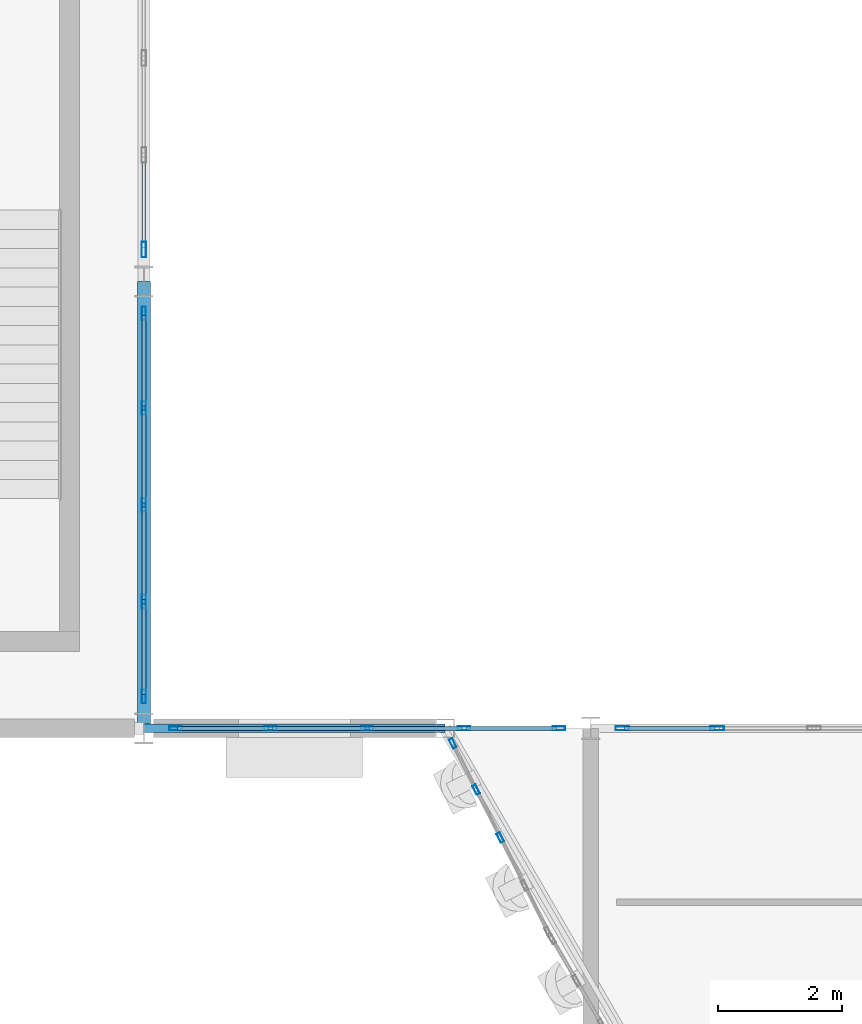
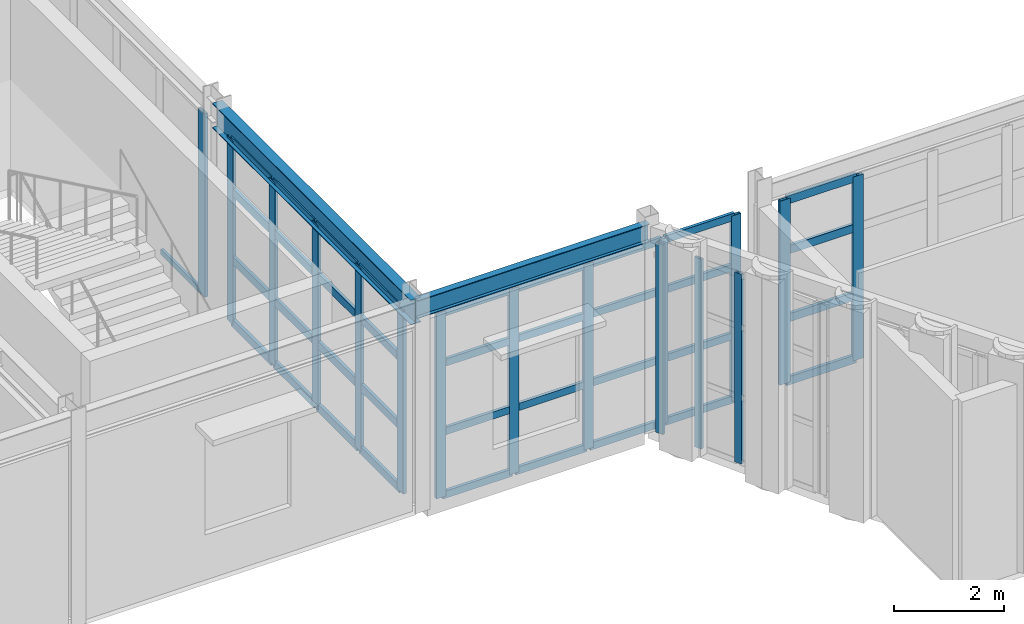
# One storey, part 25 of 121: 53 members, 2 beams, 5 elements without a shape of their own.
"""IFC4 building model written with IfcOpenShell, lengths in metres."""

import ifcopenshell
import ifcopenshell.guid

model = None  # the IFC model being written
_history = None  # IfcOwnerHistory: only IFC2X3 demands one
_inside = {}  # id of a spatial element -> (the spatial element, [elements in it])
_under = {}  # id of a project, library or spatial element -> (it, [spatial elements below it])
_declared = {}  # id of a project -> (the project, [libraries it declares])
_typed = {}  # id of a type object -> (the type object, [elements of that type])
_made_of = {}  # id of a material, layer set ... -> (it, [elements and type objects made of it])


def new_model(schema):
    """Start an empty IFC model of exactly this schema.

    Asked for "IFC4X3", IfcOpenShell would pick the latest addendum, in which some entities
    have other attributes; the version numbers below select the first issue.
    IFC2X3 requires an IfcOwnerHistory on every rooted entity: one is made here for all.
    """
    global model, _history
    if schema == "IFC4X3":
        model = ifcopenshell.file(schema_version=(4, 3, 0, 0))
    else:
        model = ifcopenshell.file(schema=schema)
    _inside.clear()
    _under.clear()
    _declared.clear()
    _typed.clear()
    _made_of.clear()
    _history = None
    if model.schema == "IFC2X3":
        org = make("IfcOrganization", Name="unknown")
        user = make(
            "IfcPersonAndOrganization",
            ThePerson=make("IfcPerson", FamilyName="unknown"),
            TheOrganization=org,
        )
        app = make(
            "IfcApplication",
            ApplicationDeveloper=org,
            Version="unknown",
            ApplicationFullName="unknown",
            ApplicationIdentifier="unknown",
        )
        _history = make(
            "IfcOwnerHistory",
            OwningUser=user,
            OwningApplication=app,
            ChangeAction="ADDED",
            CreationDate=0,
        )
    return model


def make(cls, **values):
    """One entity of the class cls with the attributes given. An attribute that is None is left unset."""
    return model.create_entity(
        cls, **{name: value for name, value in values.items() if value is not None}
    )


def rooted(cls, **values):
    """An entity with a GlobalId (a new one), such as an element, a storey or a relation."""
    return make(cls, GlobalId=ifcopenshell.guid.new(), OwnerHistory=_history, **values)


def si_unit(unit_type, name, prefix=None):
    """IfcSIUnit, for example si_unit("LENGTHUNIT", "METRE", prefix="MILLI")."""
    return make("IfcSIUnit", UnitType=unit_type, Prefix=prefix, Name=name)


def assignment(units):
    """IfcUnitAssignment: the units of a project."""
    return None if units is None else make("IfcUnitAssignment", Units=units)


def point(xyz):
    """IfcCartesianPoint."""
    return None if xyz is None else make("IfcCartesianPoint", Coordinates=xyz)


def direction(xyz):
    """IfcDirection."""
    return None if xyz is None else make("IfcDirection", DirectionRatios=xyz)


def frame(location, z_axis=None, x_axis=None):
    """IfcAxis2Placement3D, a coordinate frame: its origin and axes. An axis left out is left unset."""
    return make(
        "IfcAxis2Placement3D",
        Location=point(location),
        Axis=direction(z_axis),
        RefDirection=direction(x_axis),
    )


def frame_2d(location, x_axis=None):
    """IfcAxis2Placement2D, a coordinate frame in the plane: its origin and x axis."""
    return make(
        "IfcAxis2Placement2D", Location=point(location), RefDirection=direction(x_axis)
    )


def origin():
    """The frame at (0, 0, 0) with its axes left unset."""
    return frame((0.0, 0.0, 0.0))


def origin_2d():
    """The frame at (0, 0) in the plane with its x axis left unset."""
    return frame_2d((0.0, 0.0))


def place(relative_to, where):
    """IfcLocalPlacement: puts the frame where relative to a parent placement (None: the world)."""
    return make(
        "IfcLocalPlacement", PlacementRelTo=relative_to, RelativePlacement=where
    )


def context(
    kind, dimensions, precision=None, world=None, true_north=None, identifier=None
):
    """IfcGeometricRepresentationContext, for example the 3D "Model" context."""
    return make(
        "IfcGeometricRepresentationContext",
        ContextIdentifier=identifier,
        ContextType=kind,
        CoordinateSpaceDimension=dimensions,
        Precision=precision,
        WorldCoordinateSystem=world,
        TrueNorth=true_north,
    )


def subcontext(parent, identifier, kind, view, scale=None):
    """IfcGeometricRepresentationSubContext, for example "Body" below "Model"."""
    return make(
        "IfcGeometricRepresentationSubContext",
        ContextIdentifier=identifier,
        ContextType=kind,
        ParentContext=parent,
        TargetScale=scale,
        TargetView=view,
    )


def project(units=None, contexts=None):
    """IfcProject with its units and contexts."""
    return rooted(
        "IfcProject",
        Name="project",
        RepresentationContexts=contexts,
        UnitsInContext=assignment(units),
    )


def spatial(cls, under=None, at=None, **own):
    """A site, building, storey or space (cls), placed at a placement, below another one or the project."""
    s = rooted(cls, ObjectPlacement=at, **own)
    if under is not None:
        _under.setdefault(under.id(), (under, []))[1].append(s)
    return s


def profile(cls, at=None, kind="AREA", **sizes):
    """A parametric profile (cls). Its sizes go by their IFC names, for example OverallWidth=200.0."""
    return make(cls, ProfileType=kind, Position=at, **sizes)


def hollow_rectangle(**sizes):
    """IfcRectangleHollowProfileDef."""
    return profile("IfcRectangleHollowProfileDef", **sizes)


def i_section(**sizes):
    """IfcIShapeProfileDef."""
    return profile("IfcIShapeProfileDef", **sizes)


def extrude(swept, where, along, depth):
    """IfcExtrudedAreaSolid: the profile swept, set in the frame where, extruded along a direction by depth."""
    return make(
        "IfcExtrudedAreaSolid",
        SweptArea=swept,
        Position=where,
        ExtrudedDirection=direction(along),
        Depth=depth,
    )


def shape(context_of_items, identifier, shape_type, items):
    """IfcShapeRepresentation: the items that make up one representation, for example the "Body"."""
    return make(
        "IfcShapeRepresentation",
        ContextOfItems=context_of_items,
        RepresentationIdentifier=identifier,
        RepresentationType=shape_type,
        Items=items,
    )


def material(Name=None, Category=None):
    """IfcMaterial."""
    return make("IfcMaterial", Name=Name, Category=Category)


def layer(
    of_material, thickness, ventilated=None, Name=None, Category=None, Priority=None
):
    """IfcMaterialLayer: one layer of a wall or slab, of a material (None: an air gap)."""
    return make(
        "IfcMaterialLayer",
        Material=of_material,
        LayerThickness=thickness,
        IsVentilated=ventilated,
        Name=Name,
        Category=Category,
        Priority=Priority,
    )


def layer_set(layers, Name=None):
    """IfcMaterialLayerSet."""
    return make("IfcMaterialLayerSet", MaterialLayers=layers, LayerSetName=Name)


def material_profile(
    of_material, cross_section, Name=None, Category=None, Priority=None
):
    """IfcMaterialProfile: a cross section and its material."""
    return make(
        "IfcMaterialProfile",
        Name=Name,
        Material=of_material,
        Profile=cross_section,
        Priority=Priority,
        Category=Category,
    )


def profile_set(profiles, Name=None, composite=None):
    """IfcMaterialProfileSet."""
    return make(
        "IfcMaterialProfileSet",
        Name=Name,
        MaterialProfiles=profiles,
        CompositeProfile=composite,
    )


def made_of(thing, what):
    """Note that an element or type object is made of a material, layer set ...; save() writes the relation."""
    if what is not None:
        _made_of.setdefault(what.id(), (what, []))[1].append(thing)
    return thing


def type_object(cls, material=None, **own):
    """A type object (cls), such as IfcWallType, which elements share."""
    return made_of(rooted(cls, **own), material)


def element(
    cls,
    number,
    at=None,
    inside=None,
    cuts=None,
    type_object=None,
    material=None,
    context=None,
    identifier="Body",
    shape_type=None,
    held_by="IfcProductDefinitionShape",
    body=None,
    shapes=None,
    **own,
):
    """One element of the class cls, such as IfcWall. Its Tag is "e" and its number.

    at: its placement. inside: the storey or other place that contains it. cuts: it is an
    opening in that element (IfcRelVoidsElement). A single representation is given by context,
    identifier, shape_type and body (its items); several are given by shapes. held_by: the class
    of the entity that holds the representations. save() writes the other relations.
    """
    e = rooted(cls, Tag="e%d" % number, ObjectPlacement=at, **own)
    if body is not None:
        shapes = [shape(context, identifier, shape_type, body)]
    if shapes is not None:
        e.Representation = make(held_by, Representations=shapes)
    if inside is not None:
        _inside.setdefault(inside.id(), (inside, []))[1].append(e)
    if cuts is not None:
        rooted(
            "IfcRelVoidsElement", RelatingBuildingElement=cuts, RelatedOpeningElement=e
        )
    if type_object is not None:
        _typed.setdefault(type_object.id(), (type_object, []))[1].append(e)
    return made_of(e, material)


def aggregate(whole, parts):
    """IfcRelAggregates: a whole, such as a stair, and the parts it consists of."""
    return rooted("IfcRelAggregates", RelatingObject=whole, RelatedObjects=parts)


def save(model, path):
    """Write the relations noted so far, then the file.

    IfcRelAggregates (storeys below a building ...), IfcRelContainedInSpatialStructure (elements
    in a storey), IfcRelDefinesByType, IfcRelAssociatesMaterial and IfcRelDeclares: one each for
    every whole, place, type object, material and project.
    """
    for whole, parts in _under.values():
        aggregate(whole, parts)
    for where, things in _inside.values():
        rooted(
            "IfcRelContainedInSpatialStructure",
            RelatedElements=things,
            RelatingStructure=where,
        )
    for kind, things in _typed.values():
        rooted("IfcRelDefinesByType", RelatedObjects=things, RelatingType=kind)
    for what, things in _made_of.values():
        rooted("IfcRelAssociatesMaterial", RelatedObjects=things, RelatingMaterial=what)
    for by, libraries in _declared.values():
        rooted("IfcRelDeclares", RelatingContext=by, RelatedDefinitions=libraries)
    model.write(path)


model = new_model("IFC4")

# Units and contexts
model_context = context("Model", 3, precision=1e-05, world=origin(), true_north=direction((0.0, 1.0)))
body_context = subcontext(model_context, "Body", "Model", "MODEL_VIEW")
ifc_project = project(units=[si_unit("LENGTHUNIT", "METRE"), si_unit("AREAUNIT", "SQUARE_METRE"), si_unit("VOLUMEUNIT", "CUBIC_METRE"), si_unit("PLANEANGLEUNIT", "RADIAN"), si_unit("MASSUNIT", "GRAM", prefix="KILO")], contexts=[model_context])

# Site, building, storey
site_placement = place(None, origin())
site = spatial("IfcSite", under=ifc_project, at=site_placement, CompositionType="ELEMENT")
building_placement = place(site_placement, origin())
building = spatial("IfcBuilding", under=site, at=building_placement, Name="Solvadek Multi-Sports Hall", CompositionType="ELEMENT")
storey_placement = place(building_placement, frame((0.0, 0.0, 4.800048828125)))
storey = spatial("IfcBuildingStorey", under=building, at=storey_placement, Name="L01", CompositionType="ELEMENT", Elevation=4.800048828125)

# Curtain wall, members
ifc_material_1 = material(Name="Anodised aluminium", Category="aluminium")
ifc_layer_1 = layer(ifc_material_1, 0.159912109375, Name="Anodised aluminium")
ifc_layer_set_1 = layer_set([ifc_layer_1], Name="Anodised aluminium")
curtain_wall_type_1 = type_object("IfcCurtainWallType", Name="ENV-CW-347X420", PredefinedType="USERDEFINED", material=ifc_layer_set_1)
curtain_wall_1_placement = place(storey_placement, origin())
curtain_wall_1 = element("IfcCurtainWall", 1, at=curtain_wall_1_placement, inside=storey, type_object=curtain_wall_type_1, Name="L01 Crescent Curved Curtain Wall #1", ObjectType="CURTAIN WALL", PredefinedType="USERDEFINED")
ifc_material_profile_1 = material_profile(ifc_material_1, hollow_rectangle(XDim=0.06005859375, YDim=0.159912109375, WallThickness=0.00390625, at=origin_2d()), Name="ALU-M 160x60x4")
ifc_profile_set_1 = profile_set([ifc_material_profile_1], Name="Anodised aluminium")
member_type_1 = type_object("IfcMemberType", Name="ENV-CWM-01", PredefinedType="MULLION", material=ifc_profile_set_1)
member_1_placement = place(storey_placement, frame((26.57666015625, 20.158935546875, 0.0), z_axis=(0.0, 0.0, 1.0), x_axis=(0.892241043155, 0.451559432312, 0.0)))
member_1 = element("IfcMember", 2, at=member_1_placement, type_object=member_type_1, Name="CW-01 mullion 1", PredefinedType="MULLION", context=body_context, shape_type="SweptSolid", body=[
    extrude(hollow_rectangle(XDim=0.06005859375, YDim=0.159912109375, WallThickness=0.00390625, at=origin_2d()), origin(), (0.0, 0.0, 1.0), 4.199951171875),
])
member_2_placement = place(storey_placement, frame((26.954345703125, 19.412841796875, 0.0), z_axis=(0.0, 0.0, 1.0), x_axis=(0.892241043155, 0.451559432312, 0.0)))
member_2 = element("IfcMember", 3, at=member_2_placement, type_object=member_type_1, Name="CW-01 mullion 2", PredefinedType="MULLION", context=body_context, shape_type="SweptSolid", body=[
    extrude(hollow_rectangle(XDim=0.06005859375, YDim=0.159912109375, WallThickness=0.00390625, at=origin_2d()), origin(), (0.0, 0.0, 1.0), 4.199951171875),
])
member_3_placement = place(storey_placement, frame((27.345458984375, 18.6396484375, 0.0), z_axis=(0.0, 0.0, 1.0), x_axis=(0.892241043155, 0.451559432312, 0.0)))
member_3 = element("IfcMember", 4, at=member_3_placement, type_object=member_type_1, Name="CW-01 mullion 3", PredefinedType="MULLION", context=body_context, shape_type="SweptSolid", body=[
    extrude(hollow_rectangle(XDim=0.06005859375, YDim=0.159912109375, WallThickness=0.00390625, at=origin_2d()), origin(), (0.0, 0.0, 1.0), 4.199951171875),
])
aggregate(curtain_wall_1, [member_1, member_2, member_3])

ifc_layer_2 = layer(ifc_material_1, 0.159912109375, Name="Anodised aluminium")
ifc_layer_set_2 = layer_set([ifc_layer_2], Name="Anodised aluminium")
curtain_wall_type_2 = type_object("IfcCurtainWallType", Name="ENV-CW-624X410", PredefinedType="USERDEFINED", material=ifc_layer_set_2)
curtain_wall_2_placement = place(storey_placement, origin())
curtain_wall_2 = element("IfcCurtainWall", 5, at=curtain_wall_2_placement, inside=storey, type_object=curtain_wall_type_2, Name="L01 Perimeter Bay Curtain Wall #153", ObjectType="CURTAIN WALL", PredefinedType="USERDEFINED")
ifc_material_profile_2 = material_profile(ifc_material_1, hollow_rectangle(XDim=0.06494140625, YDim=0.199951171875, WallThickness=0.0048828125, at=origin_2d()), Name="ALU-M 200x65x5")
ifc_profile_set_2 = profile_set([ifc_material_profile_2], Name="Anodised aluminium")
member_type_2 = type_object("IfcMemberType", Name="ENV-CWM-03", PredefinedType="MULLION", material=ifc_profile_set_2)
member_4_placement = place(storey_placement, frame((22.112548828125, 20.39990234375, 0.0), z_axis=(0.0, 0.0, 1.0), x_axis=(0.0, 1.0, 0.0)))
member_4 = element("IfcMember", 6, at=member_4_placement, type_object=member_type_2, Name="CW-39 mullion 1", PredefinedType="MULLION", context=body_context, shape_type="SweptSolid", body=[
    extrude(hollow_rectangle(XDim=0.06494140625, YDim=0.199951171875, WallThickness=0.0048828125, at=origin_2d()), origin(), (0.0, 0.0, 1.0), 4.099853515625),
])
member_5_placement = place(storey_placement, frame((23.639892578125, 20.39990234375, 0.0), z_axis=(0.0, 0.0, 1.0), x_axis=(0.0, 1.0, 0.0)))
member_5 = element("IfcMember", 7, at=member_5_placement, type_object=member_type_2, Name="CW-39 mullion 2", PredefinedType="MULLION", context=body_context, shape_type="SweptSolid", body=[
    extrude(hollow_rectangle(XDim=0.06494140625, YDim=0.199951171875, WallThickness=0.0048828125, at=origin_2d()), origin(), (0.0, 0.0, 1.0), 4.099853515625),
])
member_6_placement = place(storey_placement, frame((25.199951171875, 20.39990234375, 0.0), z_axis=(0.0, 0.0, 1.0), x_axis=(0.0, 1.0, 0.0)))
member_6 = element("IfcMember", 8, at=member_6_placement, type_object=member_type_2, Name="CW-39 mullion 3", PredefinedType="MULLION", context=body_context, shape_type="SweptSolid", body=[
    extrude(hollow_rectangle(XDim=0.06494140625, YDim=0.199951171875, WallThickness=0.0048828125, at=origin_2d()), origin(), (0.0, 0.0, 1.0), 4.099853515625),
])
member_7_placement = place(storey_placement, frame((26.760009765625, 20.39990234375, 0.0), z_axis=(0.0, 0.0, 1.0), x_axis=(0.0, 1.0, 0.0)))
member_7 = element("IfcMember", 9, at=member_7_placement, type_object=member_type_2, Name="CW-39 mullion 4", PredefinedType="MULLION", context=body_context, shape_type="SweptSolid", body=[
    extrude(hollow_rectangle(XDim=0.06494140625, YDim=0.199951171875, WallThickness=0.0048828125, at=origin_2d()), origin(), (0.0, 0.0, 1.0), 4.099853515625),
])
member_8_placement = place(storey_placement, frame((28.28759765625, 20.39990234375, 0.0), z_axis=(0.0, 0.0, 1.0), x_axis=(0.0, 1.0, 0.0)))
member_8 = element("IfcMember", 10, at=member_8_placement, type_object=member_type_2, Name="CW-39 mullion 5", PredefinedType="MULLION", context=body_context, shape_type="SweptSolid", body=[
    extrude(hollow_rectangle(XDim=0.06494140625, YDim=0.199951171875, WallThickness=0.0048828125, at=origin_2d()), origin(), (0.0, 0.0, 1.0), 4.099853515625),
])

ifc_layer_3 = layer(ifc_material_1, 0.159912109375, Name="Anodised aluminium")
ifc_layer_set_3 = layer_set([ifc_layer_3], Name="Anodised aluminium")
curtain_wall_type_3 = type_object("IfcCurtainWallType", Name="ENV-CW-624X408", PredefinedType="USERDEFINED", material=ifc_layer_set_3)
curtain_wall_3_placement = place(storey_placement, origin())
curtain_wall_3 = element("IfcCurtainWall", 11, at=curtain_wall_3_placement, inside=storey, type_object=curtain_wall_type_3, Name="L01 Perimeter Bay Curtain Wall #159", ObjectType="CURTAIN WALL", PredefinedType="USERDEFINED")
ifc_material_profile_3 = material_profile(ifc_material_1, hollow_rectangle(XDim=0.06494140625, YDim=0.219970703125, WallThickness=0.0048828125, at=origin_2d()), Name="ALU-M 220x65x5")
ifc_profile_set_3 = profile_set([ifc_material_profile_3], Name="Anodised aluminium")
member_type_3 = type_object("IfcMemberType", Name="ENV-CWM-04", PredefinedType="MULLION", material=ifc_profile_set_3)
member_9_placement = place(storey_placement, frame((29.3125, 20.39990234375, 0.0), z_axis=(0.0, 0.0, 1.0), x_axis=(0.0, 1.0, 0.0)))
member_9 = element("IfcMember", 12, at=member_9_placement, type_object=member_type_3, Name="CW-40 mullion 1", PredefinedType="MULLION", context=body_context, shape_type="SweptSolid", body=[
    extrude(hollow_rectangle(XDim=0.06494140625, YDim=0.219970703125, WallThickness=0.0048828125, at=origin_2d()), origin(), (0.0, 0.0, 1.0), 4.074951171875),
])
member_10_placement = place(storey_placement, frame((30.840087890625, 20.39990234375, 0.0), z_axis=(0.0, 0.0, 1.0), x_axis=(0.0, 1.0, 0.0)))
member_10 = element("IfcMember", 13, at=member_10_placement, type_object=member_type_3, Name="CW-40 mullion 2", PredefinedType="MULLION", context=body_context, shape_type="SweptSolid", body=[
    extrude(hollow_rectangle(XDim=0.06494140625, YDim=0.219970703125, WallThickness=0.0048828125, at=origin_2d()), origin(), (0.0, 0.0, 1.0), 4.074951171875),
])

curtain_wall_4_placement = place(storey_placement, origin())
curtain_wall_4 = element("IfcCurtainWall", 14, at=curtain_wall_4_placement, inside=storey, type_object=curtain_wall_type_3, Name="L01 Perimeter Bay Curtain Wall #181", ObjectType="CURTAIN WALL", PredefinedType="USERDEFINED")
member_11_placement = place(storey_placement, frame((21.60009765625, 20.91259765625, 0.0), z_axis=(0.0, 0.0, 1.0), x_axis=(-1.0, 0.0, 0.0)))
member_11 = element("IfcMember", 15, at=member_11_placement, type_object=member_type_3, Name="CW-40 mullion 1", PredefinedType="MULLION", context=body_context, shape_type="SweptSolid", body=[
    extrude(hollow_rectangle(XDim=0.06494140625, YDim=0.219970703125, WallThickness=0.0048828125, at=origin_2d()), origin(), (0.0, 0.0, 1.0), 4.074951171875),
])
member_12_placement = place(storey_placement, frame((21.60009765625, 22.43994140625, 0.0), z_axis=(0.0, 0.0, 1.0), x_axis=(-1.0, 0.0, 0.0)))
member_12 = element("IfcMember", 16, at=member_12_placement, type_object=member_type_3, Name="CW-40 mullion 2", PredefinedType="MULLION", context=body_context, shape_type="SweptSolid", body=[
    extrude(hollow_rectangle(XDim=0.06494140625, YDim=0.219970703125, WallThickness=0.0048828125, at=origin_2d()), origin(), (0.0, 0.0, 1.0), 4.074951171875),
])
member_13_placement = place(storey_placement, frame((21.60009765625, 24.0, 0.0), z_axis=(0.0, 0.0, 1.0), x_axis=(-1.0, 0.0, 0.0)))
member_13 = element("IfcMember", 17, at=member_13_placement, type_object=member_type_3, Name="CW-40 mullion 3", PredefinedType="MULLION", context=body_context, shape_type="SweptSolid", body=[
    extrude(hollow_rectangle(XDim=0.06494140625, YDim=0.219970703125, WallThickness=0.0048828125, at=origin_2d()), origin(), (0.0, 0.0, 1.0), 4.074951171875),
])
member_14_placement = place(storey_placement, frame((21.60009765625, 25.56005859375, 0.0), z_axis=(0.0, 0.0, 1.0), x_axis=(-1.0, 0.0, 0.0)))
member_14 = element("IfcMember", 18, at=member_14_placement, type_object=member_type_3, Name="CW-40 mullion 4", PredefinedType="MULLION", context=body_context, shape_type="SweptSolid", body=[
    extrude(hollow_rectangle(XDim=0.06494140625, YDim=0.219970703125, WallThickness=0.0048828125, at=origin_2d()), origin(), (0.0, 0.0, 1.0), 4.074951171875),
])
member_15_placement = place(storey_placement, frame((21.60009765625, 27.08740234375, 0.0), z_axis=(0.0, 0.0, 1.0), x_axis=(-1.0, 0.0, 0.0)))
member_15 = element("IfcMember", 19, at=member_15_placement, type_object=member_type_3, Name="CW-40 mullion 5", PredefinedType="MULLION", context=body_context, shape_type="SweptSolid", body=[
    extrude(hollow_rectangle(XDim=0.06494140625, YDim=0.219970703125, WallThickness=0.0048828125, at=origin_2d()), origin(), (0.0, 0.0, 1.0), 4.074951171875),
])

ifc_layer_4 = layer(ifc_material_1, 0.159912109375, Name="Anodised aluminium")
ifc_layer_set_4 = layer_set([ifc_layer_4], Name="Anodised aluminium")
curtain_wall_type_4 = type_object("IfcCurtainWallType", Name="ENV-CW-624X405", PredefinedType="USERDEFINED", material=ifc_layer_set_4)
curtain_wall_5_placement = place(storey_placement, origin())
curtain_wall_5 = element("IfcCurtainWall", 20, at=curtain_wall_5_placement, inside=storey, type_object=curtain_wall_type_4, Name="L01 Perimeter Bay Curtain Wall #187", ObjectType="CURTAIN WALL", PredefinedType="USERDEFINED")
ifc_material_profile_4 = material_profile(ifc_material_1, hollow_rectangle(XDim=0.070068359375, YDim=0.25, WallThickness=0.0048828125, at=origin_2d()), Name="ALU-M 250x70x5")
ifc_profile_set_4 = profile_set([ifc_material_profile_4], Name="Anodised aluminium")
member_type_4 = type_object("IfcMemberType", Name="ENV-CWM-05", PredefinedType="MULLION", material=ifc_profile_set_4)
member_16_placement = place(storey_placement, frame((21.60009765625, 28.114990234375, 0.0), z_axis=(0.0, 0.0, 1.0), x_axis=(-1.0, 0.0, 0.0)))
member_16 = element("IfcMember", 21, at=member_16_placement, type_object=member_type_4, Name="CW-52 mullion 1", PredefinedType="MULLION", context=body_context, shape_type="SweptSolid", body=[
    extrude(hollow_rectangle(XDim=0.070068359375, YDim=0.25, WallThickness=0.0048828125, at=origin_2d()), origin(), (0.0, 0.0, 1.0), 4.050048828125),
])
ifc_material_profile_5 = material_profile(ifc_material_1, hollow_rectangle(XDim=0.06005859375, YDim=0.1201171875, WallThickness=0.00390625, at=origin_2d()), Name="ALU-T 120x60x4")
ifc_profile_set_5 = profile_set([ifc_material_profile_5], Name="Anodised aluminium")
member_type_5 = type_object("IfcMemberType", Name="ENV-CWT-01", PredefinedType="USERDEFINED", material=ifc_profile_set_5)
member_17_placement = place(storey_placement, frame((21.60009765625, 28.14990234375, 0.030029296875), z_axis=(0.0, 1.0, 0.0), x_axis=(-1.0, 0.0, 0.0)))
member_17 = element("IfcMember", 22, at=member_17_placement, type_object=member_type_5, Name="CW-52 transom 1.1", ObjectType="TRANSOM", PredefinedType="USERDEFINED", context=body_context, shape_type="SweptSolid", body=[
    extrude(hollow_rectangle(XDim=0.06005859375, YDim=0.1201171875, WallThickness=0.00390625, at=origin_2d()), origin(), (0.0, 0.0, 1.0), 1.455078125),
])
aggregate(curtain_wall_5, [member_16, member_17])

# Member
ifc_material_profile_6 = material_profile(ifc_material_1, hollow_rectangle(XDim=0.06494140625, YDim=0.159912109375, WallThickness=0.00390625, at=origin_2d()), Name="ALU-T 160x65x4")
ifc_profile_set_6 = profile_set([ifc_material_profile_6], Name="Anodised aluminium")
member_type_6 = type_object("IfcMemberType", Name="ENV-CWT-03", PredefinedType="USERDEFINED", material=ifc_profile_set_6)
member_18_placement = place(storey_placement, frame((22.14501953125, 20.39990234375, 0.032470703125), z_axis=(1.0, 0.0, 0.0), x_axis=(0.0, 1.0, 0.0)))
member_18 = element("IfcMember", 23, at=member_18_placement, type_object=member_type_6, Name="CW-39 transom 1.1", ObjectType="TRANSOM", PredefinedType="USERDEFINED", context=body_context, shape_type="SweptSolid", body=[
    extrude(hollow_rectangle(XDim=0.06494140625, YDim=0.159912109375, WallThickness=0.00390625, at=origin_2d()), origin(), (0.0, 0.0, 1.0), 1.46240234375),
])

member_19_placement = place(storey_placement, frame((22.14501953125, 20.39990234375, 1.43505859375), z_axis=(1.0, 0.0, 0.0), x_axis=(0.0, 1.0, 0.0)))
member_19 = element("IfcMember", 24, at=member_19_placement, type_object=member_type_6, Name="CW-39 transom 1.2", ObjectType="TRANSOM", PredefinedType="USERDEFINED", context=body_context, shape_type="SweptSolid", body=[
    extrude(hollow_rectangle(XDim=0.06494140625, YDim=0.159912109375, WallThickness=0.00390625, at=origin_2d()), origin(), (0.0, 0.0, 1.0), 1.46240234375),
])

member_20_placement = place(storey_placement, frame((22.14501953125, 20.39990234375, 2.951904296875), z_axis=(1.0, 0.0, 0.0), x_axis=(0.0, 1.0, 0.0)))
member_20 = element("IfcMember", 25, at=member_20_placement, type_object=member_type_6, Name="CW-39 transom 1.3", ObjectType="TRANSOM", PredefinedType="USERDEFINED", context=body_context, shape_type="SweptSolid", body=[
    extrude(hollow_rectangle(XDim=0.06494140625, YDim=0.159912109375, WallThickness=0.00390625, at=origin_2d()), origin(), (0.0, 0.0, 1.0), 1.46240234375),
])

member_21_placement = place(storey_placement, frame((22.14501953125, 20.39990234375, 4.0673828125), z_axis=(1.0, 0.0, 0.0), x_axis=(0.0, 1.0, 0.0)))
member_21 = element("IfcMember", 26, at=member_21_placement, type_object=member_type_6, Name="CW-39 transom 1.4", ObjectType="TRANSOM", PredefinedType="USERDEFINED", context=body_context, shape_type="SweptSolid", body=[
    extrude(hollow_rectangle(XDim=0.06494140625, YDim=0.159912109375, WallThickness=0.00390625, at=origin_2d()), origin(), (0.0, 0.0, 1.0), 1.46240234375),
])

member_22_placement = place(storey_placement, frame((23.672607421875, 20.39990234375, 0.032470703125), z_axis=(1.0, 0.0, 0.0), x_axis=(0.0, 1.0, 0.0)))
member_22 = element("IfcMember", 27, at=member_22_placement, type_object=member_type_6, Name="CW-39 transom 2.1", ObjectType="TRANSOM", PredefinedType="USERDEFINED", context=body_context, shape_type="SweptSolid", body=[
    extrude(hollow_rectangle(XDim=0.06494140625, YDim=0.159912109375, WallThickness=0.00390625, at=origin_2d()), origin(), (0.0, 0.0, 1.0), 1.494873046875),
])

member_23_placement = place(storey_placement, frame((23.672607421875, 20.39990234375, 1.43505859375), z_axis=(1.0, 0.0, 0.0), x_axis=(0.0, 1.0, 0.0)))
member_23 = element("IfcMember", 28, at=member_23_placement, type_object=member_type_6, Name="CW-39 transom 2.2", ObjectType="TRANSOM", PredefinedType="USERDEFINED", context=body_context, shape_type="SweptSolid", body=[
    extrude(hollow_rectangle(XDim=0.06494140625, YDim=0.159912109375, WallThickness=0.00390625, at=origin_2d()), origin(), (0.0, 0.0, 1.0), 1.494873046875),
])

member_24_placement = place(storey_placement, frame((23.672607421875, 20.39990234375, 2.951904296875), z_axis=(1.0, 0.0, 0.0), x_axis=(0.0, 1.0, 0.0)))
member_24 = element("IfcMember", 29, at=member_24_placement, type_object=member_type_6, Name="CW-39 transom 2.3", ObjectType="TRANSOM", PredefinedType="USERDEFINED", context=body_context, shape_type="SweptSolid", body=[
    extrude(hollow_rectangle(XDim=0.06494140625, YDim=0.159912109375, WallThickness=0.00390625, at=origin_2d()), origin(), (0.0, 0.0, 1.0), 1.494873046875),
])

member_25_placement = place(storey_placement, frame((23.672607421875, 20.39990234375, 4.0673828125), z_axis=(1.0, 0.0, 0.0), x_axis=(0.0, 1.0, 0.0)))
member_25 = element("IfcMember", 30, at=member_25_placement, type_object=member_type_6, Name="CW-39 transom 2.4", ObjectType="TRANSOM", PredefinedType="USERDEFINED", context=body_context, shape_type="SweptSolid", body=[
    extrude(hollow_rectangle(XDim=0.06494140625, YDim=0.159912109375, WallThickness=0.00390625, at=origin_2d()), origin(), (0.0, 0.0, 1.0), 1.494873046875),
])

member_26_placement = place(storey_placement, frame((25.232421875, 20.39990234375, 0.032470703125), z_axis=(1.0, 0.0, 0.0), x_axis=(0.0, 1.0, 0.0)))
member_26 = element("IfcMember", 31, at=member_26_placement, type_object=member_type_6, Name="CW-39 transom 3.1", ObjectType="TRANSOM", PredefinedType="USERDEFINED", context=body_context, shape_type="SweptSolid", body=[
    extrude(hollow_rectangle(XDim=0.06494140625, YDim=0.159912109375, WallThickness=0.00390625, at=origin_2d()), origin(), (0.0, 0.0, 1.0), 1.4951171875),
])

member_27_placement = place(storey_placement, frame((25.232421875, 20.39990234375, 1.43505859375), z_axis=(1.0, 0.0, 0.0), x_axis=(0.0, 1.0, 0.0)))
member_27 = element("IfcMember", 32, at=member_27_placement, type_object=member_type_6, Name="CW-39 transom 3.2", ObjectType="TRANSOM", PredefinedType="USERDEFINED", context=body_context, shape_type="SweptSolid", body=[
    extrude(hollow_rectangle(XDim=0.06494140625, YDim=0.159912109375, WallThickness=0.00390625, at=origin_2d()), origin(), (0.0, 0.0, 1.0), 1.4951171875),
])

member_28_placement = place(storey_placement, frame((25.232421875, 20.39990234375, 2.951904296875), z_axis=(1.0, 0.0, 0.0), x_axis=(0.0, 1.0, 0.0)))
member_28 = element("IfcMember", 33, at=member_28_placement, type_object=member_type_6, Name="CW-39 transom 3.3", ObjectType="TRANSOM", PredefinedType="USERDEFINED", context=body_context, shape_type="SweptSolid", body=[
    extrude(hollow_rectangle(XDim=0.06494140625, YDim=0.159912109375, WallThickness=0.00390625, at=origin_2d()), origin(), (0.0, 0.0, 1.0), 1.4951171875),
])

member_29_placement = place(storey_placement, frame((25.232421875, 20.39990234375, 4.0673828125), z_axis=(1.0, 0.0, 0.0), x_axis=(0.0, 1.0, 0.0)))
member_29 = element("IfcMember", 34, at=member_29_placement, type_object=member_type_6, Name="CW-39 transom 3.4", ObjectType="TRANSOM", PredefinedType="USERDEFINED", context=body_context, shape_type="SweptSolid", body=[
    extrude(hollow_rectangle(XDim=0.06494140625, YDim=0.159912109375, WallThickness=0.00390625, at=origin_2d()), origin(), (0.0, 0.0, 1.0), 1.4951171875),
])

member_30_placement = place(storey_placement, frame((26.79248046875, 20.39990234375, 0.032470703125), z_axis=(1.0, 0.0, 0.0), x_axis=(0.0, 1.0, 0.0)))
member_30 = element("IfcMember", 35, at=member_30_placement, type_object=member_type_6, Name="CW-39 transom 4.1", ObjectType="TRANSOM", PredefinedType="USERDEFINED", context=body_context, shape_type="SweptSolid", body=[
    extrude(hollow_rectangle(XDim=0.06494140625, YDim=0.159912109375, WallThickness=0.00390625, at=origin_2d()), origin(), (0.0, 0.0, 1.0), 1.46240234375),
])

member_31_placement = place(storey_placement, frame((26.79248046875, 20.39990234375, 1.43505859375), z_axis=(1.0, 0.0, 0.0), x_axis=(0.0, 1.0, 0.0)))
member_31 = element("IfcMember", 36, at=member_31_placement, type_object=member_type_6, Name="CW-39 transom 4.2", ObjectType="TRANSOM", PredefinedType="USERDEFINED", context=body_context, shape_type="SweptSolid", body=[
    extrude(hollow_rectangle(XDim=0.06494140625, YDim=0.159912109375, WallThickness=0.00390625, at=origin_2d()), origin(), (0.0, 0.0, 1.0), 1.46240234375),
])

member_32_placement = place(storey_placement, frame((26.79248046875, 20.39990234375, 2.951904296875), z_axis=(1.0, 0.0, 0.0), x_axis=(0.0, 1.0, 0.0)))
member_32 = element("IfcMember", 37, at=member_32_placement, type_object=member_type_6, Name="CW-39 transom 4.3", ObjectType="TRANSOM", PredefinedType="USERDEFINED", context=body_context, shape_type="SweptSolid", body=[
    extrude(hollow_rectangle(XDim=0.06494140625, YDim=0.159912109375, WallThickness=0.00390625, at=origin_2d()), origin(), (0.0, 0.0, 1.0), 1.46240234375),
])

member_33_placement = place(storey_placement, frame((26.79248046875, 20.39990234375, 4.0673828125), z_axis=(1.0, 0.0, 0.0), x_axis=(0.0, 1.0, 0.0)))
member_33 = element("IfcMember", 38, at=member_33_placement, type_object=member_type_6, Name="CW-39 transom 4.4", ObjectType="TRANSOM", PredefinedType="USERDEFINED", context=body_context, shape_type="SweptSolid", body=[
    extrude(hollow_rectangle(XDim=0.06494140625, YDim=0.159912109375, WallThickness=0.00390625, at=origin_2d()), origin(), (0.0, 0.0, 1.0), 1.46240234375),
])

aggregate(curtain_wall_2, [member_4, member_5, member_6, member_7, member_8, member_18, member_19, member_20, member_21, member_22, member_23, member_24, member_25, member_26, member_27, member_28, member_29, member_30, member_31, member_32, member_33])

ifc_material_profile_7 = material_profile(ifc_material_1, hollow_rectangle(XDim=0.06494140625, YDim=0.179931640625, WallThickness=0.0048828125, at=origin_2d()), Name="ALU-T 180x65x5")
ifc_profile_set_7 = profile_set([ifc_material_profile_7], Name="Anodised aluminium")
member_type_7 = type_object("IfcMemberType", Name="ENV-CWT-04", PredefinedType="USERDEFINED", material=ifc_profile_set_7)
member_34_placement = place(storey_placement, frame((29.344970703125, 20.39990234375, 0.032470703125), z_axis=(1.0, 0.0, 0.0), x_axis=(0.0, 1.0, 0.0)))
member_34 = element("IfcMember", 39, at=member_34_placement, type_object=member_type_7, Name="CW-40 transom 1.1", ObjectType="TRANSOM", PredefinedType="USERDEFINED", context=body_context, shape_type="SweptSolid", body=[
    extrude(hollow_rectangle(XDim=0.06494140625, YDim=0.179931640625, WallThickness=0.0048828125, at=origin_2d()), origin(), (0.0, 0.0, 1.0), 1.462646484375),
])

member_35_placement = place(storey_placement, frame((29.344970703125, 20.39990234375, 1.426025390625), z_axis=(1.0, 0.0, 0.0), x_axis=(0.0, 1.0, 0.0)))
member_35 = element("IfcMember", 40, at=member_35_placement, type_object=member_type_7, Name="CW-40 transom 1.2", ObjectType="TRANSOM", PredefinedType="USERDEFINED", context=body_context, shape_type="SweptSolid", body=[
    extrude(hollow_rectangle(XDim=0.06494140625, YDim=0.179931640625, WallThickness=0.0048828125, at=origin_2d()), origin(), (0.0, 0.0, 1.0), 1.462646484375),
])

member_36_placement = place(storey_placement, frame((29.344970703125, 20.39990234375, 2.933837890625), z_axis=(1.0, 0.0, 0.0), x_axis=(0.0, 1.0, 0.0)))
member_36 = element("IfcMember", 41, at=member_36_placement, type_object=member_type_7, Name="CW-40 transom 1.3", ObjectType="TRANSOM", PredefinedType="USERDEFINED", context=body_context, shape_type="SweptSolid", body=[
    extrude(hollow_rectangle(XDim=0.06494140625, YDim=0.179931640625, WallThickness=0.0048828125, at=origin_2d()), origin(), (0.0, 0.0, 1.0), 1.462646484375),
])

member_37_placement = place(storey_placement, frame((29.344970703125, 20.39990234375, 4.04248046875), z_axis=(1.0, 0.0, 0.0), x_axis=(0.0, 1.0, 0.0)))
member_37 = element("IfcMember", 42, at=member_37_placement, type_object=member_type_7, Name="CW-40 transom 1.4", ObjectType="TRANSOM", PredefinedType="USERDEFINED", context=body_context, shape_type="SweptSolid", body=[
    extrude(hollow_rectangle(XDim=0.06494140625, YDim=0.179931640625, WallThickness=0.0048828125, at=origin_2d()), origin(), (0.0, 0.0, 1.0), 1.462646484375),
])

aggregate(curtain_wall_3, [member_9, member_10, member_34, member_35, member_36, member_37])

member_38_placement = place(storey_placement, frame((21.60009765625, 20.945068359375, 0.032470703125), z_axis=(0.0, 1.0, 0.0), x_axis=(-1.0, 0.0, 0.0)))
member_38 = element("IfcMember", 43, at=member_38_placement, type_object=member_type_7, Name="CW-40 transom 1.1", ObjectType="TRANSOM", PredefinedType="USERDEFINED", context=body_context, shape_type="SweptSolid", body=[
    extrude(hollow_rectangle(XDim=0.06494140625, YDim=0.179931640625, WallThickness=0.0048828125, at=origin_2d()), origin(), (0.0, 0.0, 1.0), 1.46240234375),
])

member_39_placement = place(storey_placement, frame((21.60009765625, 20.945068359375, 1.426025390625), z_axis=(0.0, 1.0, 0.0), x_axis=(-1.0, 0.0, 0.0)))
member_39 = element("IfcMember", 44, at=member_39_placement, type_object=member_type_7, Name="CW-40 transom 1.2", ObjectType="TRANSOM", PredefinedType="USERDEFINED", context=body_context, shape_type="SweptSolid", body=[
    extrude(hollow_rectangle(XDim=0.06494140625, YDim=0.179931640625, WallThickness=0.0048828125, at=origin_2d()), origin(), (0.0, 0.0, 1.0), 1.46240234375),
])

member_40_placement = place(storey_placement, frame((21.60009765625, 20.945068359375, 2.933837890625), z_axis=(0.0, 1.0, 0.0), x_axis=(-1.0, 0.0, 0.0)))
member_40 = element("IfcMember", 45, at=member_40_placement, type_object=member_type_7, Name="CW-40 transom 1.3", ObjectType="TRANSOM", PredefinedType="USERDEFINED", context=body_context, shape_type="SweptSolid", body=[
    extrude(hollow_rectangle(XDim=0.06494140625, YDim=0.179931640625, WallThickness=0.0048828125, at=origin_2d()), origin(), (0.0, 0.0, 1.0), 1.46240234375),
])

member_41_placement = place(storey_placement, frame((21.60009765625, 20.945068359375, 4.04248046875), z_axis=(0.0, 1.0, 0.0), x_axis=(-1.0, 0.0, 0.0)))
member_41 = element("IfcMember", 46, at=member_41_placement, type_object=member_type_7, Name="CW-40 transom 1.4", ObjectType="TRANSOM", PredefinedType="USERDEFINED", context=body_context, shape_type="SweptSolid", body=[
    extrude(hollow_rectangle(XDim=0.06494140625, YDim=0.179931640625, WallThickness=0.0048828125, at=origin_2d()), origin(), (0.0, 0.0, 1.0), 1.46240234375),
])

member_42_placement = place(storey_placement, frame((21.60009765625, 22.472412109375, 0.032470703125), z_axis=(0.0, 1.0, 0.0), x_axis=(-1.0, 0.0, 0.0)))
member_42 = element("IfcMember", 47, at=member_42_placement, type_object=member_type_7, Name="CW-40 transom 2.1", ObjectType="TRANSOM", PredefinedType="USERDEFINED", context=body_context, shape_type="SweptSolid", body=[
    extrude(hollow_rectangle(XDim=0.06494140625, YDim=0.179931640625, WallThickness=0.0048828125, at=origin_2d()), origin(), (0.0, 0.0, 1.0), 1.4951171875),
])

member_43_placement = place(storey_placement, frame((21.60009765625, 22.472412109375, 1.426025390625), z_axis=(0.0, 1.0, 0.0), x_axis=(-1.0, 0.0, 0.0)))
member_43 = element("IfcMember", 48, at=member_43_placement, type_object=member_type_7, Name="CW-40 transom 2.2", ObjectType="TRANSOM", PredefinedType="USERDEFINED", context=body_context, shape_type="SweptSolid", body=[
    extrude(hollow_rectangle(XDim=0.06494140625, YDim=0.179931640625, WallThickness=0.0048828125, at=origin_2d()), origin(), (0.0, 0.0, 1.0), 1.4951171875),
])

member_44_placement = place(storey_placement, frame((21.60009765625, 22.472412109375, 2.933837890625), z_axis=(0.0, 1.0, 0.0), x_axis=(-1.0, 0.0, 0.0)))
member_44 = element("IfcMember", 49, at=member_44_placement, type_object=member_type_7, Name="CW-40 transom 2.3", ObjectType="TRANSOM", PredefinedType="USERDEFINED", context=body_context, shape_type="SweptSolid", body=[
    extrude(hollow_rectangle(XDim=0.06494140625, YDim=0.179931640625, WallThickness=0.0048828125, at=origin_2d()), origin(), (0.0, 0.0, 1.0), 1.4951171875),
])

member_45_placement = place(storey_placement, frame((21.60009765625, 22.472412109375, 4.04248046875), z_axis=(0.0, 1.0, 0.0), x_axis=(-1.0, 0.0, 0.0)))
member_45 = element("IfcMember", 50, at=member_45_placement, type_object=member_type_7, Name="CW-40 transom 2.4", ObjectType="TRANSOM", PredefinedType="USERDEFINED", context=body_context, shape_type="SweptSolid", body=[
    extrude(hollow_rectangle(XDim=0.06494140625, YDim=0.179931640625, WallThickness=0.0048828125, at=origin_2d()), origin(), (0.0, 0.0, 1.0), 1.4951171875),
])

member_46_placement = place(storey_placement, frame((21.60009765625, 24.032470703125, 0.032470703125), z_axis=(0.0, 1.0, 0.0), x_axis=(-1.0, 0.0, 0.0)))
member_46 = element("IfcMember", 51, at=member_46_placement, type_object=member_type_7, Name="CW-40 transom 3.1", ObjectType="TRANSOM", PredefinedType="USERDEFINED", context=body_context, shape_type="SweptSolid", body=[
    extrude(hollow_rectangle(XDim=0.06494140625, YDim=0.179931640625, WallThickness=0.0048828125, at=origin_2d()), origin(), (0.0, 0.0, 1.0), 1.4951171875),
])

member_47_placement = place(storey_placement, frame((21.60009765625, 24.032470703125, 1.426025390625), z_axis=(0.0, 1.0, 0.0), x_axis=(-1.0, 0.0, 0.0)))
member_47 = element("IfcMember", 52, at=member_47_placement, type_object=member_type_7, Name="CW-40 transom 3.2", ObjectType="TRANSOM", PredefinedType="USERDEFINED", context=body_context, shape_type="SweptSolid", body=[
    extrude(hollow_rectangle(XDim=0.06494140625, YDim=0.179931640625, WallThickness=0.0048828125, at=origin_2d()), origin(), (0.0, 0.0, 1.0), 1.4951171875),
])

member_48_placement = place(storey_placement, frame((21.60009765625, 24.032470703125, 2.933837890625), z_axis=(0.0, 1.0, 0.0), x_axis=(-1.0, 0.0, 0.0)))
member_48 = element("IfcMember", 53, at=member_48_placement, type_object=member_type_7, Name="CW-40 transom 3.3", ObjectType="TRANSOM", PredefinedType="USERDEFINED", context=body_context, shape_type="SweptSolid", body=[
    extrude(hollow_rectangle(XDim=0.06494140625, YDim=0.179931640625, WallThickness=0.0048828125, at=origin_2d()), origin(), (0.0, 0.0, 1.0), 1.4951171875),
])

member_49_placement = place(storey_placement, frame((21.60009765625, 24.032470703125, 4.04248046875), z_axis=(0.0, 1.0, 0.0), x_axis=(-1.0, 0.0, 0.0)))
member_49 = element("IfcMember", 54, at=member_49_placement, type_object=member_type_7, Name="CW-40 transom 3.4", ObjectType="TRANSOM", PredefinedType="USERDEFINED", context=body_context, shape_type="SweptSolid", body=[
    extrude(hollow_rectangle(XDim=0.06494140625, YDim=0.179931640625, WallThickness=0.0048828125, at=origin_2d()), origin(), (0.0, 0.0, 1.0), 1.4951171875),
])

member_50_placement = place(storey_placement, frame((21.60009765625, 25.592529296875, 0.032470703125), z_axis=(0.0, 1.0, 0.0), x_axis=(-1.0, 0.0, 0.0)))
member_50 = element("IfcMember", 55, at=member_50_placement, type_object=member_type_7, Name="CW-40 transom 4.1", ObjectType="TRANSOM", PredefinedType="USERDEFINED", context=body_context, shape_type="SweptSolid", body=[
    extrude(hollow_rectangle(XDim=0.06494140625, YDim=0.179931640625, WallThickness=0.0048828125, at=origin_2d()), origin(), (0.0, 0.0, 1.0), 1.46240234375),
])

member_51_placement = place(storey_placement, frame((21.60009765625, 25.592529296875, 1.426025390625), z_axis=(0.0, 1.0, 0.0), x_axis=(-1.0, 0.0, 0.0)))
member_51 = element("IfcMember", 56, at=member_51_placement, type_object=member_type_7, Name="CW-40 transom 4.2", ObjectType="TRANSOM", PredefinedType="USERDEFINED", context=body_context, shape_type="SweptSolid", body=[
    extrude(hollow_rectangle(XDim=0.06494140625, YDim=0.179931640625, WallThickness=0.0048828125, at=origin_2d()), origin(), (0.0, 0.0, 1.0), 1.46240234375),
])

member_52_placement = place(storey_placement, frame((21.60009765625, 25.592529296875, 2.933837890625), z_axis=(0.0, 1.0, 0.0), x_axis=(-1.0, 0.0, 0.0)))
member_52 = element("IfcMember", 57, at=member_52_placement, type_object=member_type_7, Name="CW-40 transom 4.3", ObjectType="TRANSOM", PredefinedType="USERDEFINED", context=body_context, shape_type="SweptSolid", body=[
    extrude(hollow_rectangle(XDim=0.06494140625, YDim=0.179931640625, WallThickness=0.0048828125, at=origin_2d()), origin(), (0.0, 0.0, 1.0), 1.46240234375),
])

member_53_placement = place(storey_placement, frame((21.60009765625, 25.592529296875, 4.04248046875), z_axis=(0.0, 1.0, 0.0), x_axis=(-1.0, 0.0, 0.0)))
member_53 = element("IfcMember", 58, at=member_53_placement, type_object=member_type_7, Name="CW-40 transom 4.4", ObjectType="TRANSOM", PredefinedType="USERDEFINED", context=body_context, shape_type="SweptSolid", body=[
    extrude(hollow_rectangle(XDim=0.06494140625, YDim=0.179931640625, WallThickness=0.0048828125, at=origin_2d()), origin(), (0.0, 0.0, 1.0), 1.46240234375),
])

aggregate(curtain_wall_4, [member_11, member_12, member_13, member_14, member_15, member_38, member_39, member_40, member_41, member_42, member_43, member_44, member_45, member_46, member_47, member_48, member_49, member_50, member_51, member_52, member_53])

# Beams
ifc_material_2 = material(Name="Steel E350 (350 MPa)", Category="steel")
ifc_material_profile_8 = material_profile(ifc_material_2, i_section(OverallWidth=0.139892578125, OverallDepth=0.39990234375, WebThickness=0.0087890625, FlangeThickness=0.01611328125, at=origin_2d()), Name="ISMB 400")
ifc_profile_set_8 = profile_set([ifc_material_profile_8], Name="Steel E350 (350 MPa)")
beam_type_1 = type_object("IfcBeamType", Name="STR-BM-ISMB400", PredefinedType="BEAM", material=ifc_profile_set_8)
beam_1_placement = place(storey_placement, frame((21.60009765625, 20.39990234375, 4.35986328125), z_axis=(1.0, 0.0, 0.0), x_axis=(0.0, 1.0, 0.0)))
element("IfcBeam", 59, at=beam_1_placement, inside=storey, type_object=beam_type_1, Name="L01 Girder B-10 #971", PredefinedType="BEAM", context=body_context, shape_type="SweptSolid", body=[
    extrude(i_section(OverallWidth=0.139892578125, OverallDepth=0.39990234375, WebThickness=0.0087890625, FlangeThickness=0.01611328125, at=origin_2d()), origin(), (0.0, 0.0, 1.0), 4.8544921875),
])
ifc_material_profile_9 = material_profile(ifc_material_2, i_section(OverallWidth=0.2099609375, OverallDepth=0.550048828125, WebThickness=0.010986328125, FlangeThickness=0.01708984375, at=origin_2d()), Name="NPB 550")
ifc_profile_set_9 = profile_set([ifc_material_profile_9], Name="Steel E350 (350 MPa)")
beam_type_2 = type_object("IfcBeamType", Name="STR-BM-NPB550", PredefinedType="BEAM", material=ifc_profile_set_9)
beam_2_placement = place(storey_placement, frame((21.60009765625, 20.39990234375, 4.284912109375), z_axis=(0.0, 1.0, 0.0), x_axis=(-1.0, 0.0, 0.0)))
element("IfcBeam", 60, at=beam_2_placement, inside=storey, type_object=beam_type_2, Name="L01 Girder B-05 #1151", PredefinedType="BEAM", context=body_context, shape_type="SweptSolid", body=[
    extrude(i_section(OverallWidth=0.2099609375, OverallDepth=0.550048828125, WebThickness=0.010986328125, FlangeThickness=0.01708984375, at=origin_2d()), origin(), (0.0, 0.0, 1.0), 7.2001953125),
])

save(model, "model.ifc")
